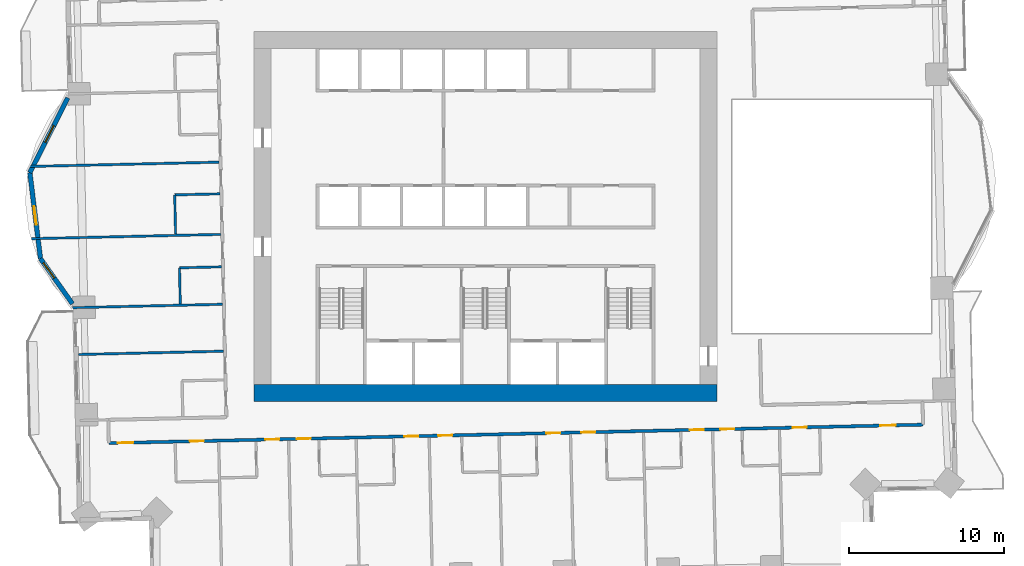
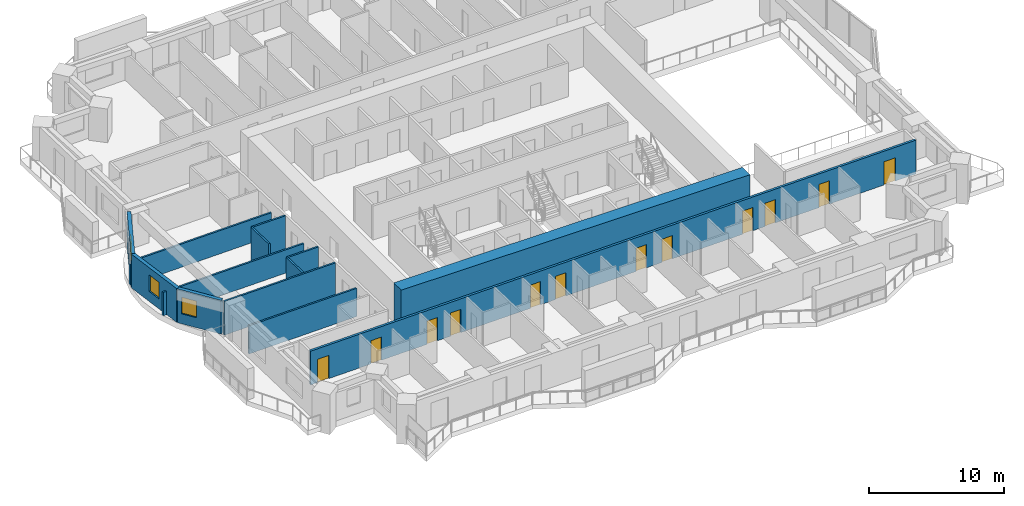
# One storey, part 7 of 17: 13 walls, 12 doors, 3 windows, 15 openings.
"""IFC4 building model written with IfcOpenShell, lengths in metres."""

import ifcopenshell
import ifcopenshell.guid

model = None  # the IFC model being written
_history = None  # IfcOwnerHistory: only IFC2X3 demands one
_inside = {}  # id of a spatial element -> (the spatial element, [elements in it])
_under = {}  # id of a project, library or spatial element -> (it, [spatial elements below it])
_declared = {}  # id of a project -> (the project, [libraries it declares])
_typed = {}  # id of a type object -> (the type object, [elements of that type])
_made_of = {}  # id of a material, layer set ... -> (it, [elements and type objects made of it])


def new_model(schema):
    """Start an empty IFC model of exactly this schema.

    Asked for "IFC4X3", IfcOpenShell would pick the latest addendum, in which some entities
    have other attributes; the version numbers below select the first issue.
    IFC2X3 requires an IfcOwnerHistory on every rooted entity: one is made here for all.
    """
    global model, _history
    if schema == "IFC4X3":
        model = ifcopenshell.file(schema_version=(4, 3, 0, 0))
    else:
        model = ifcopenshell.file(schema=schema)
    _inside.clear()
    _under.clear()
    _declared.clear()
    _typed.clear()
    _made_of.clear()
    _history = None
    if model.schema == "IFC2X3":
        org = make("IfcOrganization", Name="unknown")
        user = make(
            "IfcPersonAndOrganization",
            ThePerson=make("IfcPerson", FamilyName="unknown"),
            TheOrganization=org,
        )
        app = make(
            "IfcApplication",
            ApplicationDeveloper=org,
            Version="unknown",
            ApplicationFullName="unknown",
            ApplicationIdentifier="unknown",
        )
        _history = make(
            "IfcOwnerHistory",
            OwningUser=user,
            OwningApplication=app,
            ChangeAction="ADDED",
            CreationDate=0,
        )
    return model


def make(cls, **values):
    """One entity of the class cls with the attributes given. An attribute that is None is left unset."""
    return model.create_entity(
        cls, **{name: value for name, value in values.items() if value is not None}
    )


def rooted(cls, **values):
    """An entity with a GlobalId (a new one), such as an element, a storey or a relation."""
    return make(cls, GlobalId=ifcopenshell.guid.new(), OwnerHistory=_history, **values)


def si_unit(unit_type, name, prefix=None):
    """IfcSIUnit, for example si_unit("LENGTHUNIT", "METRE", prefix="MILLI")."""
    return make("IfcSIUnit", UnitType=unit_type, Prefix=prefix, Name=name)


def assignment(units):
    """IfcUnitAssignment: the units of a project."""
    return None if units is None else make("IfcUnitAssignment", Units=units)


def point(xyz):
    """IfcCartesianPoint."""
    return None if xyz is None else make("IfcCartesianPoint", Coordinates=xyz)


def direction(xyz):
    """IfcDirection."""
    return None if xyz is None else make("IfcDirection", DirectionRatios=xyz)


def frame(location, z_axis=None, x_axis=None):
    """IfcAxis2Placement3D, a coordinate frame: its origin and axes. An axis left out is left unset."""
    return make(
        "IfcAxis2Placement3D",
        Location=point(location),
        Axis=direction(z_axis),
        RefDirection=direction(x_axis),
    )


def frame_2d(location, x_axis=None):
    """IfcAxis2Placement2D, a coordinate frame in the plane: its origin and x axis."""
    return make(
        "IfcAxis2Placement2D", Location=point(location), RefDirection=direction(x_axis)
    )


def origin():
    """The frame at (0, 0, 0) with its axes left unset."""
    return frame((0.0, 0.0, 0.0))


def place(relative_to, where):
    """IfcLocalPlacement: puts the frame where relative to a parent placement (None: the world)."""
    return make(
        "IfcLocalPlacement", PlacementRelTo=relative_to, RelativePlacement=where
    )


def context(
    kind, dimensions, precision=None, world=None, true_north=None, identifier=None
):
    """IfcGeometricRepresentationContext, for example the 3D "Model" context."""
    return make(
        "IfcGeometricRepresentationContext",
        ContextIdentifier=identifier,
        ContextType=kind,
        CoordinateSpaceDimension=dimensions,
        Precision=precision,
        WorldCoordinateSystem=world,
        TrueNorth=true_north,
    )


def subcontext(parent, identifier, kind, view, scale=None):
    """IfcGeometricRepresentationSubContext, for example "Body" below "Model"."""
    return make(
        "IfcGeometricRepresentationSubContext",
        ContextIdentifier=identifier,
        ContextType=kind,
        ParentContext=parent,
        TargetScale=scale,
        TargetView=view,
    )


def project(units=None, contexts=None):
    """IfcProject with its units and contexts."""
    return rooted(
        "IfcProject",
        Name="project",
        RepresentationContexts=contexts,
        UnitsInContext=assignment(units),
    )


def spatial(cls, under=None, at=None, **own):
    """A site, building, storey or space (cls), placed at a placement, below another one or the project."""
    s = rooted(cls, ObjectPlacement=at, **own)
    if under is not None:
        _under.setdefault(under.id(), (under, []))[1].append(s)
    return s


def profile(cls, at=None, kind="AREA", **sizes):
    """A parametric profile (cls). Its sizes go by their IFC names, for example OverallWidth=200.0."""
    return make(cls, ProfileType=kind, Position=at, **sizes)


def rectangle(**sizes):
    """IfcRectangleProfileDef."""
    return profile("IfcRectangleProfileDef", **sizes)


def extrude(swept, where, along, depth):
    """IfcExtrudedAreaSolid: the profile swept, set in the frame where, extruded along a direction by depth."""
    return make(
        "IfcExtrudedAreaSolid",
        SweptArea=swept,
        Position=where,
        ExtrudedDirection=direction(along),
        Depth=depth,
    )


def shape(context_of_items, identifier, shape_type, items):
    """IfcShapeRepresentation: the items that make up one representation, for example the "Body"."""
    return make(
        "IfcShapeRepresentation",
        ContextOfItems=context_of_items,
        RepresentationIdentifier=identifier,
        RepresentationType=shape_type,
        Items=items,
    )


def material(Name=None, Category=None):
    """IfcMaterial."""
    return make("IfcMaterial", Name=Name, Category=Category)


def layer(
    of_material, thickness, ventilated=None, Name=None, Category=None, Priority=None
):
    """IfcMaterialLayer: one layer of a wall or slab, of a material (None: an air gap)."""
    return make(
        "IfcMaterialLayer",
        Material=of_material,
        LayerThickness=thickness,
        IsVentilated=ventilated,
        Name=Name,
        Category=Category,
        Priority=Priority,
    )


def layer_set(layers, Name=None):
    """IfcMaterialLayerSet."""
    return make("IfcMaterialLayerSet", MaterialLayers=layers, LayerSetName=Name)


def made_of(thing, what):
    """Note that an element or type object is made of a material, layer set ...; save() writes the relation."""
    if what is not None:
        _made_of.setdefault(what.id(), (what, []))[1].append(thing)
    return thing


def type_object(cls, material=None, **own):
    """A type object (cls), such as IfcWallType, which elements share."""
    return made_of(rooted(cls, **own), material)


def element(
    cls,
    number,
    at=None,
    inside=None,
    cuts=None,
    type_object=None,
    material=None,
    context=None,
    identifier="Body",
    shape_type=None,
    held_by="IfcProductDefinitionShape",
    body=None,
    shapes=None,
    **own,
):
    """One element of the class cls, such as IfcWall. Its Tag is "e" and its number.

    at: its placement. inside: the storey or other place that contains it. cuts: it is an
    opening in that element (IfcRelVoidsElement). A single representation is given by context,
    identifier, shape_type and body (its items); several are given by shapes. held_by: the class
    of the entity that holds the representations. save() writes the other relations.
    """
    e = rooted(cls, Tag="e%d" % number, ObjectPlacement=at, **own)
    if body is not None:
        shapes = [shape(context, identifier, shape_type, body)]
    if shapes is not None:
        e.Representation = make(held_by, Representations=shapes)
    if inside is not None:
        _inside.setdefault(inside.id(), (inside, []))[1].append(e)
    if cuts is not None:
        rooted(
            "IfcRelVoidsElement", RelatingBuildingElement=cuts, RelatedOpeningElement=e
        )
    if type_object is not None:
        _typed.setdefault(type_object.id(), (type_object, []))[1].append(e)
    return made_of(e, material)


def fill(opening, filler):
    """IfcRelFillsElement: the door or window that sits in an opening."""
    return rooted(
        "IfcRelFillsElement",
        RelatingOpeningElement=opening,
        RelatedBuildingElement=filler,
    )


def aggregate(whole, parts):
    """IfcRelAggregates: a whole, such as a stair, and the parts it consists of."""
    return rooted("IfcRelAggregates", RelatingObject=whole, RelatedObjects=parts)


def save(model, path):
    """Write the relations noted so far, then the file.

    IfcRelAggregates (storeys below a building ...), IfcRelContainedInSpatialStructure (elements
    in a storey), IfcRelDefinesByType, IfcRelAssociatesMaterial and IfcRelDeclares: one each for
    every whole, place, type object, material and project.
    """
    for whole, parts in _under.values():
        aggregate(whole, parts)
    for where, things in _inside.values():
        rooted(
            "IfcRelContainedInSpatialStructure",
            RelatedElements=things,
            RelatingStructure=where,
        )
    for kind, things in _typed.values():
        rooted("IfcRelDefinesByType", RelatedObjects=things, RelatingType=kind)
    for what, things in _made_of.values():
        rooted("IfcRelAssociatesMaterial", RelatedObjects=things, RelatingMaterial=what)
    for by, libraries in _declared.values():
        rooted("IfcRelDeclares", RelatingContext=by, RelatedDefinitions=libraries)
    model.write(path)


model = new_model("IFC4")

# Units and contexts
model_context = context("Model", 3, precision=1e-05, world=origin(), true_north=direction((0.0, 1.0)))
body_context = subcontext(model_context, "Body", "Model", "MODEL_VIEW")
ifc_project = project(units=[si_unit("LENGTHUNIT", "METRE"), si_unit("AREAUNIT", "SQUARE_METRE"), si_unit("VOLUMEUNIT", "CUBIC_METRE"), si_unit("PLANEANGLEUNIT", "RADIAN"), si_unit("MASSUNIT", "GRAM", prefix="KILO")], contexts=[model_context])

# Site, building, storey
site_placement = place(None, origin())
site = spatial("IfcSite", under=ifc_project, at=site_placement, CompositionType="ELEMENT")
building_placement = place(site_placement, origin())
building = spatial("IfcBuilding", under=site, at=building_placement, Name="Mangrove Gate Tower", CompositionType="ELEMENT")
storey_placement = place(building_placement, frame((0.0, 0.0, 86.5)))
storey = spatial("IfcBuildingStorey", under=building, at=storey_placement, Name="L21", CompositionType="ELEMENT", Elevation=86.5)

# Wall
ifc_material_1 = material(Name="Concrete C70/85", Category="concrete")
ifc_layer_1 = layer(ifc_material_1, 1.10009765625)
ifc_layer_set_1 = layer_set([ifc_layer_1], Name="Core wall 1100 C70/85")
wall_type_1 = type_object("IfcWallType", Name="Core wall 1100 C70/85", PredefinedType="SHEAR", material=ifc_layer_set_1)
wall_1_placement = place(storey_placement, frame((-14.89990234375, -11.35009765625, 0.0), z_axis=(0.0, 0.0, 1.0), x_axis=(1.0, 0.0, 0.0)))
element("IfcWall", 1, at=wall_1_placement, inside=storey, type_object=wall_type_1, Name="WALL-L21-CORE-1", PredefinedType="SHEAR", context=body_context, shape_type="SweptSolid", body=[
    extrude(rectangle(XDim=29.7998046875, YDim=1.10009765625, at=frame_2d((14.89990234375, 0.0))), origin(), (0.0, 0.0, 1.0), 3.60009765625),
])

# Wall, openings, doors
ifc_material_2 = material(Name="Gypsum board on steel stud, EI 60", Category="steel")
ifc_layer_2 = layer(ifc_material_2, 0.199951171875)
ifc_layer_set_2 = layer_set([ifc_layer_2], Name="Corridor wall EI 60")
wall_type_2 = type_object("IfcWallType", Name="Corridor wall EI 60", PredefinedType="PARTITIONING", material=ifc_layer_set_2)
wall_2_placement = place(storey_placement, frame((-24.2490234375, -14.591064453125, 0.0), z_axis=(0.0, 0.0, 1.0), x_axis=(0.999742227308, 0.022704161211, 0.0)))
wall_2 = element("IfcWall", 2, at=wall_2_placement, inside=storey, type_object=wall_type_2, Name="WALL-L21-030", PredefinedType="PARTITIONING", context=body_context, shape_type="SweptSolid", body=[
    extrude(rectangle(XDim=52.42138671875, YDim=0.199951171875, at=frame_2d((26.210693359375, 0.0))), origin(), (0.0, 0.0, 1.0), 3.050048828125),
])
opening_1_placement = place(wall_2_placement, frame((0.574951171875, 0.0, 0.0)))
opening_1 = element("IfcOpeningElement", 3, at=opening_1_placement, cuts=wall_2, Name="Opening AD", PredefinedType="OPENING", context=body_context, shape_type="SweptSolid", body=[
    extrude(rectangle(XDim=1.0, YDim=2.10009765625, at=frame_2d((0.5, 1.050048828125))), frame((0.0, 0.10986328125, 0.0), z_axis=(0.0, -1.0, 0.0), x_axis=(1.0, 0.0, 0.0)), (0.0, 0.0, 1.0), 0.219970703125),
])
opening_2_placement = place(wall_2_placement, frame((5.22509765625, 0.0, 0.0)))
opening_2 = element("IfcOpeningElement", 4, at=opening_2_placement, cuts=wall_2, Name="Opening SD", PredefinedType="OPENING", context=body_context, shape_type="SweptSolid", body=[
    extrude(rectangle(XDim=0.89990234375, YDim=2.10009765625, at=frame_2d((0.449951171875, 1.050048828125))), frame((0.0, 0.10986328125, 0.0), z_axis=(0.0, -1.0, 0.0), x_axis=(1.0, 0.0, 0.0)), (0.0, 0.0, 1.0), 0.219970703125),
])
opening_3_placement = place(wall_2_placement, frame((10.074951171875, 0.0, 0.0)))
opening_3 = element("IfcOpeningElement", 5, at=opening_3_placement, cuts=wall_2, Name="Opening BD", PredefinedType="OPENING", context=body_context, shape_type="SweptSolid", body=[
    extrude(rectangle(XDim=0.89990234375, YDim=2.10009765625, at=frame_2d((0.449951171875, 1.050048828125))), frame((0.0, 0.10986328125, 0.0), z_axis=(0.0, -1.0, 0.0), x_axis=(1.0, 0.0, 0.0)), (0.0, 0.0, 1.0), 0.219970703125),
])
opening_4_placement = place(wall_2_placement, frame((12.10009765625, 0.0, 0.0)))
opening_4 = element("IfcOpeningElement", 6, at=opening_4_placement, cuts=wall_2, Name="Opening BD", PredefinedType="OPENING", context=body_context, shape_type="SweptSolid", body=[
    extrude(rectangle(XDim=0.89990234375, YDim=2.10009765625, at=frame_2d((0.449951171875, 1.050048828125))), frame((0.0, 0.10986328125, 0.0), z_axis=(0.0, -1.0, 0.0), x_axis=(1.0, 0.0, 0.0)), (0.0, 0.0, 1.0), 0.219970703125),
])
opening_5_placement = place(wall_2_placement, frame((19.02490234375, 0.0, 0.0)))
opening_5 = element("IfcOpeningElement", 7, at=opening_5_placement, cuts=wall_2, Name="Opening BD", PredefinedType="OPENING", context=body_context, shape_type="SweptSolid", body=[
    extrude(rectangle(XDim=0.89990234375, YDim=2.10009765625, at=frame_2d((0.449951171875, 1.050048828125))), frame((0.0, 0.10986328125, 0.0), z_axis=(0.0, -1.0, 0.0), x_axis=(1.0, 0.0, 0.0)), (0.0, 0.0, 1.0), 0.219970703125),
])
opening_6_placement = place(wall_2_placement, frame((21.22509765625, 0.0, 0.0)))
opening_6 = element("IfcOpeningElement", 8, at=opening_6_placement, cuts=wall_2, Name="Opening BD", PredefinedType="OPENING", context=body_context, shape_type="SweptSolid", body=[
    extrude(rectangle(XDim=0.89990234375, YDim=2.10009765625, at=frame_2d((0.449951171875, 1.050048828125))), frame((0.0, 0.10986328125, 0.0), z_axis=(0.0, -1.0, 0.0), x_axis=(1.0, 0.0, 0.0)), (0.0, 0.0, 1.0), 0.219970703125),
])
opening_7_placement = place(wall_2_placement, frame((28.175048828125, 0.0, 0.0)))
opening_7 = element("IfcOpeningElement", 9, at=opening_7_placement, cuts=wall_2, Name="Opening BD", PredefinedType="OPENING", context=body_context, shape_type="SweptSolid", body=[
    extrude(rectangle(XDim=0.89990234375, YDim=2.10009765625, at=frame_2d((0.449951171875, 1.050048828125))), frame((0.0, 0.10986328125, 0.0), z_axis=(0.0, -1.0, 0.0), x_axis=(1.0, 0.0, 0.0)), (0.0, 0.0, 1.0), 0.219970703125),
])
opening_8_placement = place(wall_2_placement, frame((30.425048828125, 0.0, 0.0)))
opening_8 = element("IfcOpeningElement", 10, at=opening_8_placement, cuts=wall_2, Name="Opening BD", PredefinedType="OPENING", context=body_context, shape_type="SweptSolid", body=[
    extrude(rectangle(XDim=0.89990234375, YDim=2.10009765625, at=frame_2d((0.449951171875, 1.050048828125))), frame((0.0, 0.10986328125, 0.0), z_axis=(0.0, -1.0, 0.0), x_axis=(1.0, 0.0, 0.0)), (0.0, 0.0, 1.0), 0.219970703125),
])
opening_9_placement = place(wall_2_placement, frame((37.39990234375, 0.0, 0.0)))
opening_9 = element("IfcOpeningElement", 11, at=opening_9_placement, cuts=wall_2, Name="Opening BD", PredefinedType="OPENING", context=body_context, shape_type="SweptSolid", body=[
    extrude(rectangle(XDim=0.89990234375, YDim=2.10009765625, at=frame_2d((0.449951171875, 1.050048828125))), frame((0.0, 0.10986328125, 0.0), z_axis=(0.0, -1.0, 0.0), x_axis=(1.0, 0.0, 0.0)), (0.0, 0.0, 1.0), 0.219970703125),
])
opening_10_placement = place(wall_2_placement, frame((39.375, 0.0, 0.0)))
opening_10 = element("IfcOpeningElement", 12, at=opening_10_placement, cuts=wall_2, Name="Opening BD", PredefinedType="OPENING", context=body_context, shape_type="SweptSolid", body=[
    extrude(rectangle(XDim=0.89990234375, YDim=2.10009765625, at=frame_2d((0.449951171875, 1.050048828125))), frame((0.0, 0.10986328125, 0.0), z_axis=(0.0, -1.0, 0.0), x_axis=(1.0, 0.0, 0.0)), (0.0, 0.0, 1.0), 0.219970703125),
])
opening_11_placement = place(wall_2_placement, frame((49.660888671875, 0.0, 0.0)))
opening_11 = element("IfcOpeningElement", 13, at=opening_11_placement, cuts=wall_2, Name="Opening AD", PredefinedType="OPENING", context=body_context, shape_type="SweptSolid", body=[
    extrude(rectangle(XDim=1.0, YDim=2.10009765625, at=frame_2d((0.5, 1.050048828125))), frame((0.0, 0.10986328125, 0.0), z_axis=(0.0, -1.0, 0.0), x_axis=(1.0, 0.0, 0.0)), (0.0, 0.0, 1.0), 0.219970703125),
])
opening_12_placement = place(wall_2_placement, frame((44.02490234375, 0.0, 0.0)))
opening_12 = element("IfcOpeningElement", 14, at=opening_12_placement, cuts=wall_2, Name="Opening SD", PredefinedType="OPENING", context=body_context, shape_type="SweptSolid", body=[
    extrude(rectangle(XDim=0.89990234375, YDim=2.10009765625, at=frame_2d((0.449951171875, 1.050048828125))), frame((0.0, 0.10986328125, 0.0), z_axis=(0.0, -1.0, 0.0), x_axis=(1.0, 0.0, 0.0)), (0.0, 0.0, 1.0), 0.219970703125),
])
ifc_material_3 = material(Name="Timber door leaf", Category="wood")
door_type_1 = type_object("IfcDoorType", Name="Amenity door 1000", OperationType="SINGLE_SWING_LEFT", PredefinedType="DOOR", material=ifc_material_3)
door_1_placement = place(opening_1_placement, origin())
door_1 = element("IfcDoor", 15, at=door_1_placement, inside=storey, type_object=door_type_1, Name="DOOR-L21-STU-c1a", OperationType="SINGLE_SWING_LEFT", OverallHeight=2.10009765625, OverallWidth=1.0, PredefinedType="DOOR", context=body_context, shape_type="SweptSolid", body=[
    extrude(rectangle(XDim=1.0, YDim=2.10009765625, at=frame_2d((0.5, 1.050048828125))), frame((0.0, 0.02490234375, 0.0), z_axis=(0.0, -1.0, 0.0), x_axis=(1.0, 0.0, 0.0)), (0.0, 0.0, 1.0), 0.050048828125),
])
fill(opening_1, door_1)
door_2_placement = place(opening_11_placement, origin())
door_2 = element("IfcDoor", 16, at=door_2_placement, inside=storey, type_object=door_type_1, Name="DOOR-L21-GAM-c3a", OperationType="SINGLE_SWING_RIGHT", OverallHeight=2.10009765625, OverallWidth=1.0, PredefinedType="DOOR", context=body_context, shape_type="SweptSolid", body=[
    extrude(rectangle(XDim=1.0, YDim=2.10009765625, at=frame_2d((0.5, 1.050048828125))), frame((0.0, 0.02490234375, 0.0), z_axis=(0.0, -1.0, 0.0), x_axis=(1.0, 0.0, 0.0)), (0.0, 0.0, 1.0), 0.050048828125),
])
fill(opening_11, door_2)
ifc_material_4 = material(Name="Timber door leaf", Category="wood")
door_type_2 = type_object("IfcDoorType", Name="Bedroom door 900", OperationType="SINGLE_SWING_LEFT", PredefinedType="DOOR", material=ifc_material_4)
door_3_placement = place(opening_3_placement, origin())
door_3 = element("IfcDoor", 17, at=door_3_placement, inside=storey, type_object=door_type_2, Name="DOOR-L21-BED-c101", OperationType="SINGLE_SWING_LEFT", OverallHeight=2.10009765625, OverallWidth=0.89990234375, PredefinedType="DOOR", context=body_context, shape_type="SweptSolid", body=[
    extrude(rectangle(XDim=0.89990234375, YDim=2.10009765625, at=frame_2d((0.449951171875, 1.050048828125))), frame((0.0, 0.02490234375, 0.0), z_axis=(0.0, -1.0, 0.0), x_axis=(1.0, 0.0, 0.0)), (0.0, 0.0, 1.0), 0.050048828125),
])
fill(opening_3, door_3)
door_4_placement = place(opening_4_placement, origin())
door_4 = element("IfcDoor", 18, at=door_4_placement, inside=storey, type_object=door_type_2, Name="DOOR-L21-BED-c102", OperationType="SINGLE_SWING_RIGHT", OverallHeight=2.10009765625, OverallWidth=0.89990234375, PredefinedType="DOOR", context=body_context, shape_type="SweptSolid", body=[
    extrude(rectangle(XDim=0.89990234375, YDim=2.10009765625, at=frame_2d((0.449951171875, 1.050048828125))), frame((0.0, 0.02490234375, 0.0), z_axis=(0.0, -1.0, 0.0), x_axis=(1.0, 0.0, 0.0)), (0.0, 0.0, 1.0), 0.050048828125),
])
fill(opening_4, door_4)
door_5_placement = place(opening_5_placement, origin())
door_5 = element("IfcDoor", 19, at=door_5_placement, inside=storey, type_object=door_type_2, Name="DOOR-L21-BED-c103", OperationType="SINGLE_SWING_LEFT", OverallHeight=2.10009765625, OverallWidth=0.89990234375, PredefinedType="DOOR", context=body_context, shape_type="SweptSolid", body=[
    extrude(rectangle(XDim=0.89990234375, YDim=2.10009765625, at=frame_2d((0.449951171875, 1.050048828125))), frame((0.0, 0.02490234375, 0.0), z_axis=(0.0, -1.0, 0.0), x_axis=(1.0, 0.0, 0.0)), (0.0, 0.0, 1.0), 0.050048828125),
])
fill(opening_5, door_5)
door_6_placement = place(opening_6_placement, origin())
door_6 = element("IfcDoor", 20, at=door_6_placement, inside=storey, type_object=door_type_2, Name="DOOR-L21-BED-c104", OperationType="SINGLE_SWING_RIGHT", OverallHeight=2.10009765625, OverallWidth=0.89990234375, PredefinedType="DOOR", context=body_context, shape_type="SweptSolid", body=[
    extrude(rectangle(XDim=0.89990234375, YDim=2.10009765625, at=frame_2d((0.449951171875, 1.050048828125))), frame((0.0, 0.02490234375, 0.0), z_axis=(0.0, -1.0, 0.0), x_axis=(1.0, 0.0, 0.0)), (0.0, 0.0, 1.0), 0.050048828125),
])
fill(opening_6, door_6)
door_7_placement = place(opening_7_placement, origin())
door_7 = element("IfcDoor", 21, at=door_7_placement, inside=storey, type_object=door_type_2, Name="DOOR-L21-BED-c205", OperationType="SINGLE_SWING_LEFT", OverallHeight=2.10009765625, OverallWidth=0.89990234375, PredefinedType="DOOR", context=body_context, shape_type="SweptSolid", body=[
    extrude(rectangle(XDim=0.89990234375, YDim=2.10009765625, at=frame_2d((0.449951171875, 1.050048828125))), frame((0.0, 0.02490234375, 0.0), z_axis=(0.0, -1.0, 0.0), x_axis=(1.0, 0.0, 0.0)), (0.0, 0.0, 1.0), 0.050048828125),
])
fill(opening_7, door_7)
door_8_placement = place(opening_8_placement, origin())
door_8 = element("IfcDoor", 22, at=door_8_placement, inside=storey, type_object=door_type_2, Name="DOOR-L21-BED-c206", OperationType="SINGLE_SWING_RIGHT", OverallHeight=2.10009765625, OverallWidth=0.89990234375, PredefinedType="DOOR", context=body_context, shape_type="SweptSolid", body=[
    extrude(rectangle(XDim=0.89990234375, YDim=2.10009765625, at=frame_2d((0.449951171875, 1.050048828125))), frame((0.0, 0.02490234375, 0.0), z_axis=(0.0, -1.0, 0.0), x_axis=(1.0, 0.0, 0.0)), (0.0, 0.0, 1.0), 0.050048828125),
])
fill(opening_8, door_8)
door_9_placement = place(opening_9_placement, origin())
door_9 = element("IfcDoor", 23, at=door_9_placement, inside=storey, type_object=door_type_2, Name="DOOR-L21-BED-c207", OperationType="SINGLE_SWING_LEFT", OverallHeight=2.10009765625, OverallWidth=0.89990234375, PredefinedType="DOOR", context=body_context, shape_type="SweptSolid", body=[
    extrude(rectangle(XDim=0.89990234375, YDim=2.10009765625, at=frame_2d((0.449951171875, 1.050048828125))), frame((0.0, 0.02490234375, 0.0), z_axis=(0.0, -1.0, 0.0), x_axis=(1.0, 0.0, 0.0)), (0.0, 0.0, 1.0), 0.050048828125),
])
fill(opening_9, door_9)
door_10_placement = place(opening_10_placement, origin())
door_10 = element("IfcDoor", 24, at=door_10_placement, inside=storey, type_object=door_type_2, Name="DOOR-L21-BED-c308", OperationType="SINGLE_SWING_RIGHT", OverallHeight=2.10009765625, OverallWidth=0.89990234375, PredefinedType="DOOR", context=body_context, shape_type="SweptSolid", body=[
    extrude(rectangle(XDim=0.89990234375, YDim=2.10009765625, at=frame_2d((0.449951171875, 1.050048828125))), frame((0.0, 0.02490234375, 0.0), z_axis=(0.0, -1.0, 0.0), x_axis=(1.0, 0.0, 0.0)), (0.0, 0.0, 1.0), 0.050048828125),
])
fill(opening_10, door_10)
ifc_material_5 = material(Name="Timber door leaf", Category="wood")
door_type_3 = type_object("IfcDoorType", Name="Service room door 900", OperationType="SINGLE_SWING_LEFT", PredefinedType="DOOR", material=ifc_material_5)
door_11_placement = place(opening_2_placement, origin())
door_11 = element("IfcDoor", 25, at=door_11_placement, inside=storey, type_object=door_type_3, Name="DOOR-L21-LDY-c1a", OperationType="SINGLE_SWING_LEFT", OverallHeight=2.10009765625, OverallWidth=0.89990234375, PredefinedType="DOOR", context=body_context, shape_type="SweptSolid", body=[
    extrude(rectangle(XDim=0.89990234375, YDim=2.10009765625, at=frame_2d((0.449951171875, 1.050048828125))), frame((0.0, 0.02490234375, 0.0), z_axis=(0.0, -1.0, 0.0), x_axis=(1.0, 0.0, 0.0)), (0.0, 0.0, 1.0), 0.050048828125),
])
fill(opening_2, door_11)
door_12_placement = place(opening_12_placement, origin())
door_12 = element("IfcDoor", 26, at=door_12_placement, inside=storey, type_object=door_type_3, Name="DOOR-L21-AWC-c3a", OperationType="SINGLE_SWING_RIGHT", OverallHeight=2.10009765625, OverallWidth=0.89990234375, PredefinedType="DOOR", context=body_context, shape_type="SweptSolid", body=[
    extrude(rectangle(XDim=0.89990234375, YDim=2.10009765625, at=frame_2d((0.449951171875, 1.050048828125))), frame((0.0, 0.02490234375, 0.0), z_axis=(0.0, -1.0, 0.0), x_axis=(1.0, 0.0, 0.0)), (0.0, 0.0, 1.0), 0.050048828125),
])
fill(opening_12, door_12)

# Wall, opening, window
ifc_material_6 = material(Name="Limestone", Category="masonry")
ifc_layer_3 = layer(ifc_material_6, 0.0400390625, Name="Limestone cladding")
ifc_material_7 = material(Name="Ventilated air gap")
ifc_layer_4 = layer(ifc_material_7, 0.0400390625, Name="Ventilated cavity")
ifc_material_8 = material(Name="Mineral wool insulation")
ifc_layer_5 = layer(ifc_material_8, 0.06005859375, Name="Insulation")
ifc_material_9 = material(Name="Breather membrane")
ifc_layer_6 = layer(ifc_material_9, 0.001953125, Name="Breather membrane")
ifc_material_10 = material(Name="Concrete C20/25 blockwork", Category="masonry")
ifc_layer_7 = layer(ifc_material_10, 0.14990234375, Name="Blockwork backing wall")
ifc_material_11 = material(Name="Gypsum plaster")
ifc_layer_8 = layer(ifc_material_11, 0.008056640625, Name="Internal plaster")
ifc_layer_set_3 = layer_set([ifc_layer_3, ifc_layer_4, ifc_layer_5, ifc_layer_6, ifc_layer_7, ifc_layer_8], Name="External wall 300 limestone cladding")
wall_type_3 = type_object("IfcWallType", Name="External wall 300 limestone cladding", PredefinedType="SOLIDWALL", material=ifc_layer_set_3)
wall_3_placement = place(storey_placement, frame((-26.888916015625, 7.635009765625, 0.0), z_axis=(0.0, 0.0, 1.0), x_axis=(-0.452633159278, -0.891696822425, 0.0)))
wall_3 = element("IfcWall", 27, at=wall_3_placement, inside=storey, type_object=wall_type_3, Name="WALL-L21-W9f1", PredefinedType="SOLIDWALL", context=body_context, shape_type="SweptSolid", body=[
    extrude(rectangle(XDim=5.3974609375, YDim=0.300048828125, at=frame_2d((2.69873046875, 0.0))), origin(), (0.0, 0.0, 1.0), 3.050048828125),
])
opening_13_placement = place(wall_3_placement, frame((2.007080078125, 0.0, 0.89990234375)))
opening_13 = element("IfcOpeningElement", 28, at=opening_13_placement, cuts=wall_3, Name="Opening W1", PredefinedType="OPENING", context=body_context, shape_type="SweptSolid", body=[
    extrude(rectangle(XDim=1.199951171875, YDim=1.5, at=frame_2d((0.60009765625, 0.75))), frame((0.0, 0.159912109375, 0.0), z_axis=(0.0, -1.0, 0.0), x_axis=(1.0, 0.0, 0.0)), (0.0, 0.0, 1.0), 0.320068359375),
])
ifc_material_12 = material(Name="Aluminium frame with double-glazed low-e glass", Category="aluminium")
window_type = type_object("IfcWindowType", Name="Side lite 1200x1500", PartitioningType="SINGLE_PANEL", PredefinedType="WINDOW", material=ifc_material_12)
window_1_placement = place(opening_13_placement, origin())
window_1 = element("IfcWindow", 29, at=window_1_placement, inside=storey, type_object=window_type, Name="WIN-L21-W9f1", OverallHeight=1.5, OverallWidth=1.199951171875, PartitioningType="SINGLE_PANEL", PredefinedType="WINDOW", context=body_context, shape_type="SweptSolid", body=[
    extrude(rectangle(XDim=1.199951171875, YDim=1.5, at=frame_2d((0.60009765625, 0.75))), frame((0.0, 0.030029296875, 0.0), z_axis=(0.0, -1.0, 0.0), x_axis=(1.0, 0.0, 0.0)), (0.0, 0.0, 1.0), 0.06005859375),
])
fill(opening_13, window_1)

wall_4_placement = place(storey_placement, frame((-29.33203125, 2.822021484375, 0.0), z_axis=(0.0, 0.0, 1.0), x_axis=(0.122206978992, -0.992504636909, 0.0)))
wall_4 = element("IfcWall", 30, at=wall_4_placement, inside=storey, type_object=wall_type_3, Name="WALL-L21-W9f2", PredefinedType="SOLIDWALL", context=body_context, shape_type="SweptSolid", body=[
    extrude(rectangle(XDim=5.57373046875, YDim=0.300048828125, at=frame_2d((2.786865234375, 0.0))), origin(), (0.0, 0.0, 1.0), 3.050048828125),
])
opening_14_placement = place(wall_4_placement, frame((2.18701171875, 0.0, 0.89990234375)))
opening_14 = element("IfcOpeningElement", 31, at=opening_14_placement, cuts=wall_4, Name="Opening W1", PredefinedType="OPENING", context=body_context, shape_type="SweptSolid", body=[
    extrude(rectangle(XDim=1.199951171875, YDim=1.5, at=frame_2d((0.60009765625, 0.75))), frame((0.0, 0.159912109375, 0.0), z_axis=(0.0, -1.0, 0.0), x_axis=(1.0, 0.0, 0.0)), (0.0, 0.0, 1.0), 0.320068359375),
])
window_2_placement = place(opening_14_placement, origin())
window_2 = element("IfcWindow", 32, at=window_2_placement, inside=storey, type_object=window_type, Name="WIN-L21-W9f2", OverallHeight=1.5, OverallWidth=1.199951171875, PartitioningType="SINGLE_PANEL", PredefinedType="WINDOW", context=body_context, shape_type="SweptSolid", body=[
    extrude(rectangle(XDim=1.199951171875, YDim=1.5, at=frame_2d((0.60009765625, 0.75))), frame((0.0, 0.030029296875, 0.0), z_axis=(0.0, -1.0, 0.0), x_axis=(1.0, 0.0, 0.0)), (0.0, 0.0, 1.0), 0.06005859375),
])
fill(opening_14, window_2)

wall_5_placement = place(storey_placement, frame((-28.65087890625, -2.7099609375, 0.0), z_axis=(0.0, 0.0, 1.0), x_axis=(0.577964171051, -0.816062140392, 0.0)))
wall_5 = element("IfcWall", 33, at=wall_5_placement, inside=storey, type_object=wall_type_3, Name="WALL-L21-W9f3", PredefinedType="SOLIDWALL", context=body_context, shape_type="SweptSolid", body=[
    extrude(rectangle(XDim=3.5673828125, YDim=0.300048828125, at=frame_2d((1.78369140625, 0.0))), origin(), (0.0, 0.0, 1.0), 3.050048828125),
])
opening_15_placement = place(wall_5_placement, frame((0.3369140625, 0.0, 0.89990234375)))
opening_15 = element("IfcOpeningElement", 34, at=opening_15_placement, cuts=wall_5, Name="Opening W1", PredefinedType="OPENING", context=body_context, shape_type="SweptSolid", body=[
    extrude(rectangle(XDim=1.199951171875, YDim=1.5, at=frame_2d((0.60009765625, 0.75))), frame((0.0, 0.159912109375, 0.0), z_axis=(0.0, -1.0, 0.0), x_axis=(1.0, 0.0, 0.0)), (0.0, 0.0, 1.0), 0.320068359375),
])
window_3_placement = place(opening_15_placement, origin())
window_3 = element("IfcWindow", 35, at=window_3_placement, inside=storey, type_object=window_type, Name="WIN-L21-W9f3", OverallHeight=1.5, OverallWidth=1.199951171875, PartitioningType="SINGLE_PANEL", PredefinedType="WINDOW", context=body_context, shape_type="SweptSolid", body=[
    extrude(rectangle(XDim=1.199951171875, YDim=1.5, at=frame_2d((0.60009765625, 0.75))), frame((0.0, 0.030029296875, 0.0), z_axis=(0.0, -1.0, 0.0), x_axis=(1.0, 0.0, 0.0)), (0.0, 0.0, 1.0), 0.06005859375),
])
fill(opening_15, window_3)

# Walls
ifc_material_13 = material(Name="Gypsum board on steel stud, EI 60", Category="steel")
ifc_layer_9 = layer(ifc_material_13, 0.14990234375)
ifc_layer_set_4 = layer_set([ifc_layer_9], Name="Party wall 150 EI 60")
wall_type_4 = type_object("IfcWallType", Name="Party wall 150 EI 60", PredefinedType="PARTITIONING", material=ifc_layer_set_4)
wall_6_placement = place(storey_placement, frame((-26.2041015625, -8.884033203125, 0.0), z_axis=(0.0, 0.0, 1.0), x_axis=(0.999742051634, 0.022711895436, 0.0)))
element("IfcWall", 36, at=wall_6_placement, inside=storey, type_object=wall_type_4, Name="WALL-L21-041", PredefinedType="PARTITIONING", context=body_context, shape_type="SweptSolid", body=[
    extrude(rectangle(XDim=9.33056640625, YDim=0.14990234375, at=frame_2d((4.665283203125, 0.0))), origin(), (0.0, 0.0, 1.0), 2.550048828125),
])
wall_7_placement = place(storey_placement, frame((-26.572998046875, -5.87109375, 0.0), z_axis=(0.0, 0.0, 1.0), x_axis=(0.999743768709, 0.022636186244, 0.0)))
element("IfcWall", 37, at=wall_7_placement, inside=storey, type_object=wall_type_4, Name="WALL-L21-042", PredefinedType="PARTITIONING", context=body_context, shape_type="SweptSolid", body=[
    extrude(rectangle(XDim=9.63134765625, YDim=0.14990234375, at=frame_2d((4.815673828125, 0.0))), origin(), (0.0, 0.0, 1.0), 3.050048828125),
])
wall_8_placement = place(storey_placement, frame((-19.64990234375, -5.634033203125, 0.0), z_axis=(0.0, 0.0, 1.0), x_axis=(-0.02279059109, 0.999740260747, 0.0)))
element("IfcWall", 38, at=wall_8_placement, inside=storey, type_object=wall_type_4, Name="WALL-L21-043", PredefinedType="PARTITIONING", context=body_context, shape_type="SweptSolid", body=[
    extrude(rectangle(XDim=2.324462890625, YDim=0.14990234375, at=frame_2d((1.162109375, 0.0))), origin(), (0.0, 0.0, 1.0), 3.050048828125),
])
wall_9_placement = place(storey_placement, frame((-19.697998046875, -3.303955078125, 0.0), z_axis=(0.0, 0.0, 1.0), x_axis=(0.999744396973, 0.02260842146, 0.0)))
element("IfcWall", 39, at=wall_9_placement, inside=storey, type_object=wall_type_4, Name="WALL-L21-044", PredefinedType="PARTITIONING", context=body_context, shape_type="SweptSolid", body=[
    extrude(rectangle(XDim=2.69970703125, YDim=0.14990234375, at=frame_2d((1.349853515625, 0.0))), origin(), (0.0, 0.0, 1.0), 3.050048828125),
])
wall_10_placement = place(storey_placement, frame((-29.237060546875, -1.429931640625, 0.0), z_axis=(0.0, 0.0, 1.0), x_axis=(0.999744053012, 0.022623626312, 0.0)))
element("IfcWall", 40, at=wall_10_placement, inside=storey, type_object=wall_type_4, Name="WALL-L21-045", PredefinedType="PARTITIONING", context=body_context, shape_type="SweptSolid", body=[
    extrude(rectangle(XDim=12.1943359375, YDim=0.14990234375, at=frame_2d((6.09716796875, 0.0))), origin(), (0.0, 0.0, 1.0), 2.10009765625),
])
wall_11_placement = place(storey_placement, frame((-19.951904296875, -1.139892578125, 0.0), z_axis=(0.0, 0.0, 1.0), x_axis=(-0.023006865507, 0.999735307039, 0.0)))
element("IfcWall", 41, at=wall_11_placement, inside=storey, type_object=wall_type_4, Name="WALL-L21-046", PredefinedType="PARTITIONING", context=body_context, shape_type="SweptSolid", body=[
    extrude(rectangle(XDim=2.525634765625, YDim=0.14990234375, at=frame_2d((1.2626953125, 0.0))), origin(), (0.0, 0.0, 1.0), 3.050048828125),
])
wall_12_placement = place(storey_placement, frame((-20.0048828125, 1.389892578125, 0.0), z_axis=(0.0, 0.0, 1.0), x_axis=(0.999739832865, 0.022809352981, 0.0)))
element("IfcWall", 42, at=wall_12_placement, inside=storey, type_object=wall_type_4, Name="WALL-L21-047", PredefinedType="PARTITIONING", context=body_context, shape_type="SweptSolid", body=[
    extrude(rectangle(XDim=2.900634765625, YDim=0.14990234375, at=frame_2d((1.4501953125, 0.0))), origin(), (0.0, 0.0, 1.0), 3.050048828125),
])
wall_13_placement = place(storey_placement, frame((-29.3740234375, 3.218017578125, 0.0), z_axis=(0.0, 0.0, 1.0), x_axis=(0.99974308155, 0.022666514803, 0.0)))
element("IfcWall", 43, at=wall_13_placement, inside=storey, type_object=wall_type_4, Name="WALL-L21-048", PredefinedType="PARTITIONING", context=body_context, shape_type="SweptSolid", body=[
    extrude(rectangle(XDim=12.22509765625, YDim=0.14990234375, at=frame_2d((6.112548828125, 0.0))), origin(), (0.0, 0.0, 1.0), 2.10009765625),
])

save(model, "model.ifc")
